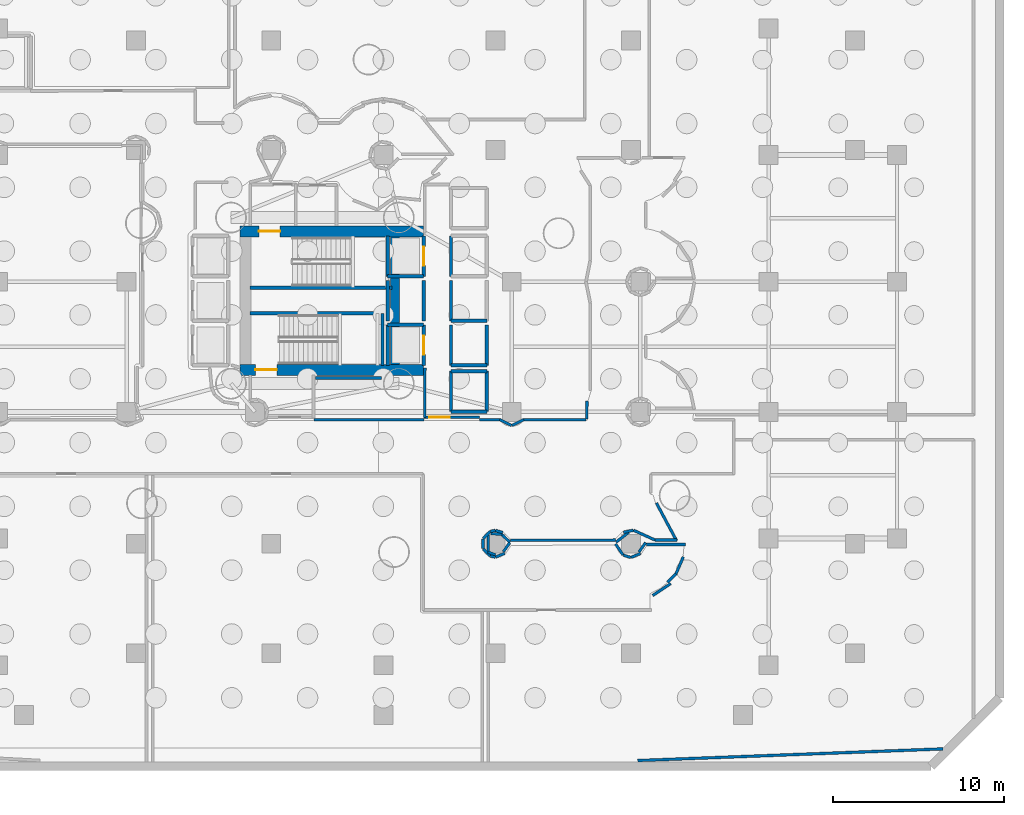
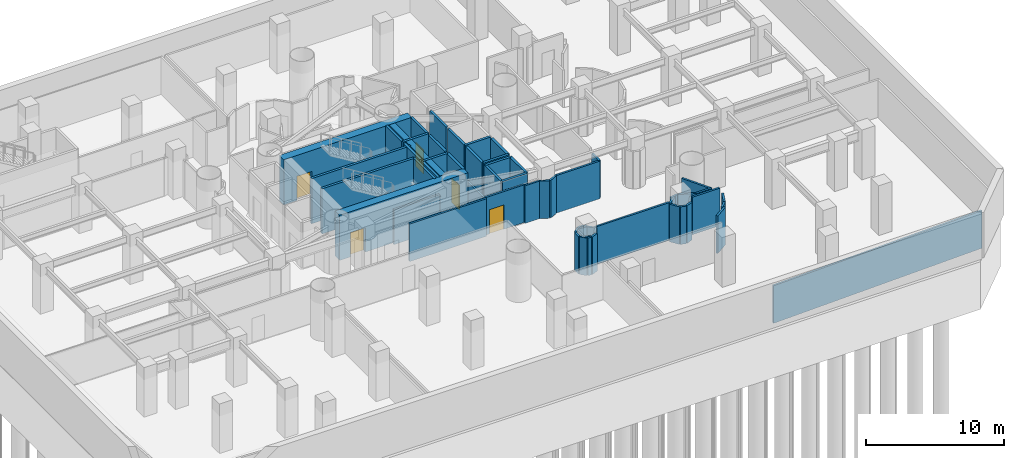
# One storey, part 4 of 13: 60 walls, 5 doors, 5 openings.
"""IFC4 building model written with IfcOpenShell, lengths in metres."""

from ifc_helpers import new_model, si_unit, direction, frame, frame_2d, origin, place, context, subcontext, project, spatial, rectangle, extrude, material, layer, layer_set, type_object, element, fill, save


model = new_model("IFC4")

# Units and contexts
model_context = context("Model", 3, precision=1e-05, world=origin(), true_north=direction((0.0, 1.0)))
body_context = subcontext(model_context, "Body", "Model", "MODEL_VIEW")
ifc_project = project(units=[si_unit("LENGTHUNIT", "METRE"), si_unit("AREAUNIT", "SQUARE_METRE"), si_unit("VOLUMEUNIT", "CUBIC_METRE"), si_unit("PLANEANGLEUNIT", "RADIAN"), si_unit("MASSUNIT", "GRAM", prefix="KILO")], contexts=[model_context])

# Site, building, storey
site_placement = place(None, origin())
site = spatial("IfcSite", under=ifc_project, at=site_placement, CompositionType="ELEMENT")
building_placement = place(site_placement, origin())
building = spatial("IfcBuilding", under=site, at=building_placement, Name="Qianvela Tower", CompositionType="ELEMENT")
storey_placement = place(building_placement, frame((0.0, 0.0, -10.0)))
storey = spatial("IfcBuildingStorey", under=building, at=storey_placement, Name="B02", CompositionType="ELEMENT", Elevation=-10.0)

# Wall, opening, door
ifc_material_1 = material(Name="Concrete C60", Category="concrete")
ifc_layer_1 = layer(ifc_material_1, 0.64990234375)
ifc_layer_set_1 = layer_set([ifc_layer_1], Name="Concrete C60")
wall_type_1 = type_object("IfcWallType", Name="WT-CORE-650", PredefinedType="SHEAR", material=ifc_layer_set_1)
wall_1_placement = place(storey_placement, frame((29.1298828125, 32.7451171875, 0.0), z_axis=(0.0, 0.0, 1.0), x_axis=(1.0, 0.0, 0.0)))
wall_1 = element("IfcWall", 1, at=wall_1_placement, inside=storey, type_object=wall_type_1, Name="B02 North Core Shear Wall", PredefinedType="SHEAR", context=body_context, shape_type="SweptSolid", body=[
    extrude(rectangle(XDim=10.72021484375, YDim=0.64990234375, at=frame_2d((5.360107421875, 0.0))), origin(), (0.0, 0.0, 1.0), 4.0),
])
opening_1_placement = place(wall_1_placement, frame((1.094970703125, 0.0, 0.0)))
opening_1 = element("IfcOpeningElement", 2, at=opening_1_placement, cuts=wall_1, Name="Opening D-ST1", PredefinedType="OPENING", context=body_context, shape_type="SweptSolid", body=[
    extrude(rectangle(XDim=1.25, YDim=2.14990234375, at=frame_2d((0.625, 1.074951171875))), frame((0.0, 0.3349609375, 0.0), z_axis=(0.0, -1.0, 0.0), x_axis=(1.0, 0.0, 0.0)), (0.0, 0.0, 1.0), 0.669921875),
])
ifc_material_2 = material(Name="Galvanised Fire Steel Q355B", Category="steel")
door_type_1 = type_object("IfcDoorType", Name="DT-STAIR-FD90", OperationType="NOTDEFINED", PredefinedType="DOOR", material=ifc_material_2)
door_1_placement = place(opening_1_placement, origin())
door_1 = element("IfcDoor", 3, at=door_1_placement, inside=storey, type_object=door_type_1, Name="B02 Stair ST-1 Exit Door", OperationType="SINGLE_SWING_RIGHT", OverallHeight=2.14990234375, OverallWidth=1.25, PredefinedType="DOOR", context=body_context, shape_type="SweptSolid", body=[
    extrude(rectangle(XDim=1.25, YDim=2.14990234375, at=frame_2d((0.625, 1.074951171875))), frame((0.0, 0.02490234375, 0.0), z_axis=(0.0, -1.0, 0.0), x_axis=(1.0, 0.0, 0.0)), (0.0, 0.0, 1.0), 0.050048828125),
])
fill(opening_1, door_1)

wall_2_placement = place(storey_placement, frame((29.1298828125, 24.655029296875, 0.0), z_axis=(0.0, 0.0, 1.0), x_axis=(1.0, 0.0, 0.0)))
wall_2 = element("IfcWall", 4, at=wall_2_placement, inside=storey, type_object=wall_type_1, Name="B02 South Core Shear Wall", PredefinedType="SHEAR", context=body_context, shape_type="SweptSolid", body=[
    extrude(rectangle(XDim=10.72021484375, YDim=0.64990234375, at=frame_2d((5.360107421875, 0.0))), origin(), (0.0, 0.0, 1.0), 4.0),
])
opening_2_placement = place(wall_2_placement, frame((0.89501953125, 0.0, 0.0)))
opening_2 = element("IfcOpeningElement", 5, at=opening_2_placement, cuts=wall_2, Name="Opening D-ST1", PredefinedType="OPENING", context=body_context, shape_type="SweptSolid", body=[
    extrude(rectangle(XDim=1.25, YDim=2.14990234375, at=frame_2d((0.625, 1.074951171875))), frame((0.0, 0.3349609375, 0.0), z_axis=(0.0, -1.0, 0.0), x_axis=(1.0, 0.0, 0.0)), (0.0, 0.0, 1.0), 0.669921875),
])
door_2_placement = place(opening_2_placement, origin())
door_2 = element("IfcDoor", 6, at=door_2_placement, inside=storey, type_object=door_type_1, Name="B02 Stair ST-2 Exit Door", OperationType="SINGLE_SWING_RIGHT", OverallHeight=2.14990234375, OverallWidth=1.25, PredefinedType="DOOR", context=body_context, shape_type="SweptSolid", body=[
    extrude(rectangle(XDim=1.25, YDim=2.14990234375, at=frame_2d((0.625, 1.074951171875))), frame((0.0, 0.02490234375, 0.0), z_axis=(0.0, -1.0, 0.0), x_axis=(1.0, 0.0, 0.0)), (0.0, 0.0, 1.0), 0.050048828125),
])
fill(opening_2, door_2)

# Wall
wall_3_placement = place(storey_placement, frame((38.179931640625, 24.97998046875, 0.0), z_axis=(0.0, 0.0, 1.0), x_axis=(0.0, 1.0, 0.0)))
element("IfcWall", 7, at=wall_3_placement, inside=storey, type_object=wall_type_1, Name="B02 East Spine Core Shear Wall", PredefinedType="SHEAR", context=body_context, shape_type="SweptSolid", body=[
    extrude(rectangle(XDim=7.43994140625, YDim=0.5, at=frame_2d((3.719970703125, 0.0))), origin(), (0.0, 0.0, 1.0), 4.0),
])

# Wall, opening, door
ifc_material_3 = material(Name="Fire-Rated Gypsum and Concrete Block", Category="concrete")
ifc_layer_2 = layer(ifc_material_3, 0.159912109375)
ifc_layer_set_2 = layer_set([ifc_layer_2], Name="Fire-Rated Gypsum and Concrete Block")
wall_type_2 = type_object("IfcWallType", Name="WT-CORR-160", PredefinedType="PARTITIONING", material=ifc_layer_set_2)
wall_4_placement = place(storey_placement, frame((43.10009765625, 21.89111328125, 0.0), z_axis=(0.0, 0.0, 1.0), x_axis=(-1.0, 0.0, 0.0)))
wall_4 = element("IfcWall", 8, at=wall_4_placement, inside=storey, type_object=wall_type_2, Name="B02 Partition 18", PredefinedType="PARTITIONING", context=body_context, shape_type="SweptSolid", body=[
    extrude(rectangle(XDim=3.22021484375, YDim=0.159912109375, at=frame_2d((1.610107421875, 0.0))), origin(), (0.0, 0.0, 1.0), 3.320068359375),
])
opening_3_placement = place(wall_4_placement, frame((1.7099609375, 0.0, 0.0)))
opening_3 = element("IfcOpeningElement", 9, at=opening_3_placement, cuts=wall_4, Name="Opening D-LB1", PredefinedType="OPENING", context=body_context, shape_type="SweptSolid", body=[
    extrude(rectangle(XDim=1.199951171875, YDim=2.14990234375, at=frame_2d((0.60009765625, 1.074951171875))), frame((0.0, 0.08984375, 0.0), z_axis=(0.0, -1.0, 0.0), x_axis=(1.0, 0.0, 0.0)), (0.0, 0.0, 1.0), 0.179931640625),
])
ifc_material_4 = material(Name="Glazed Fire-Rated Steel Frame", Category="steel")
door_type_2 = type_object("IfcDoorType", Name="DT-LOBBY-FD90", OperationType="NOTDEFINED", PredefinedType="DOOR", material=ifc_material_4)
door_3_placement = place(opening_3_placement, origin())
door_3 = element("IfcDoor", 10, at=door_3_placement, inside=storey, type_object=door_type_2, Name="B02 Door B02 Lift Lobby to B02 Plant and Bicycle Corridor", OperationType="SINGLE_SWING_LEFT", OverallHeight=2.14990234375, OverallWidth=1.199951171875, PredefinedType="DOOR", context=body_context, shape_type="SweptSolid", body=[
    extrude(rectangle(XDim=1.199951171875, YDim=2.14990234375, at=frame_2d((0.60009765625, 1.074951171875))), frame((0.0, 0.02490234375, 0.0), z_axis=(0.0, -1.0, 0.0), x_axis=(1.0, 0.0, 0.0)), (0.0, 0.0, 1.0), 0.050048828125),
])
fill(opening_3, door_3)

# Walls
wall_5_placement = place(storey_placement, frame((39.910888671875, 21.85986328125, 0.0), z_axis=(0.0, 0.0, 1.0), x_axis=(0.00479752075, 0.999988491831, 0.0)))
element("IfcWall", 11, at=wall_5_placement, inside=storey, type_object=wall_type_2, Name="B02 Partition 19", PredefinedType="PARTITIONING", context=body_context, shape_type="SweptSolid", body=[
    extrude(rectangle(XDim=2.900634765625, YDim=0.159912109375, at=frame_2d((1.4501953125, 0.0))), origin(), (0.0, 0.0, 1.0), 3.177978515625),
])
wall_6_placement = place(storey_placement, frame((37.388671875, 24.180908203125, 0.0), z_axis=(0.0, 0.0, 1.0), x_axis=(-1.0, 0.0, 0.0)))
element("IfcWall", 12, at=wall_6_placement, inside=storey, type_object=wall_type_2, Name="B02 Partition 35", PredefinedType="PARTITIONING", context=body_context, shape_type="SweptSolid", body=[
    extrude(rectangle(XDim=3.858642578125, YDim=0.159912109375, at=frame_2d((1.92919921875, 0.0))), origin(), (0.0, 0.0, 1.0), 3.077880859375),
])
wall_7_placement = place(storey_placement, frame((33.449951171875, 21.7490234375, 0.0), z_axis=(0.0, 0.0, 1.0), x_axis=(1.0, 0.0, 0.0)))
element("IfcWall", 13, at=wall_7_placement, inside=storey, type_object=wall_type_2, Name="B02 Partition 88 seg 1", PredefinedType="PARTITIONING", context=body_context, shape_type="SweptSolid", body=[
    extrude(rectangle(XDim=6.429931640625, YDim=0.159912109375, at=frame_2d((3.21484375, 0.0))), origin(), (0.0, 0.0, 1.0), 3.320068359375),
])
wall_8_placement = place(storey_placement, frame((43.10009765625, 21.7490234375, 0.0), z_axis=(0.0, 0.0, 1.0), x_axis=(1.0, 0.0, 0.0)))
element("IfcWall", 14, at=wall_8_placement, inside=storey, type_object=wall_type_2, Name="B02 Partition 88 seg 2", PredefinedType="PARTITIONING", context=body_context, shape_type="SweptSolid", body=[
    extrude(rectangle(XDim=1.203857421875, YDim=0.159912109375, at=frame_2d((0.60205078125, 0.0))), origin(), (0.0, 0.0, 1.0), 3.320068359375),
])
wall_9_placement = place(storey_placement, frame((44.289794921875, 21.752197265625, 0.0), z_axis=(0.0, 0.0, 1.0), x_axis=(0.893548213857, -0.448967247706, 0.0)))
element("IfcWall", 15, at=wall_9_placement, inside=storey, type_object=wall_type_2, Name="B02 Partition 89", PredefinedType="PARTITIONING", context=body_context, shape_type="SweptSolid", body=[
    extrude(rectangle(XDim=0.779296875, YDim=0.159912109375, at=frame_2d((0.3896484375, 0.0))), origin(), (0.0, 0.0, 1.0), 3.320068359375),
])
wall_10_placement = place(storey_placement, frame((45.013916015625, 21.40234375, 0.0), z_axis=(0.0, 0.0, 1.0), x_axis=(0.894999155255, 0.446067833511, 0.0)))
element("IfcWall", 16, at=wall_10_placement, inside=storey, type_object=wall_type_2, Name="B02 Partition 90", PredefinedType="PARTITIONING", context=body_context, shape_type="SweptSolid", body=[
    extrude(rectangle(XDim=0.767333984375, YDim=0.159912109375, at=frame_2d((0.3837890625, 0.0))), origin(), (0.0, 0.0, 1.0), 3.320068359375),
])
wall_11_placement = place(storey_placement, frame((45.686767578125, 21.7412109375, 0.0), z_axis=(0.0, 0.0, 1.0), x_axis=(0.999997715017, 0.002137746468, 0.0)))
element("IfcWall", 17, at=wall_11_placement, inside=storey, type_object=wall_type_2, Name="B02 Partition 91", PredefinedType="PARTITIONING", context=body_context, shape_type="SweptSolid", body=[
    extrude(rectangle(XDim=3.654541015625, YDim=0.159912109375, at=frame_2d((1.8271484375, 0.0))), origin(), (0.0, 0.0, 1.0), 3.320068359375),
])
wall_12_placement = place(storey_placement, frame((49.372314453125, 21.779296875, 0.0), z_axis=(0.0, 0.0, 1.0), x_axis=(0.019397938969, 0.99981184228, 0.0)))
element("IfcWall", 18, at=wall_12_placement, inside=storey, type_object=wall_type_2, Name="B02 Partition 92", PredefinedType="PARTITIONING", context=body_context, shape_type="SweptSolid", body=[
    extrude(rectangle(XDim=1.044677734375, YDim=0.159912109375, at=frame_2d((0.5224609375, 0.0))), origin(), (0.0, 0.0, 1.0), 3.320068359375),
])
wall_13_placement = place(storey_placement, frame((53.449951171875, 16.873779296875, 0.0), z_axis=(0.0, 0.0, 1.0), x_axis=(0.471411414428, -0.881913418849, 0.0)))
element("IfcWall", 19, at=wall_13_placement, inside=storey, type_object=wall_type_2, Name="B02 Partition 140", PredefinedType="PARTITIONING", context=body_context, shape_type="SweptSolid", body=[
    extrude(rectangle(XDim=2.4931640625, YDim=0.159912109375, at=frame_2d((1.24658203125, 0.0))), origin(), (0.0, 0.0, 1.0), 3.320068359375),
])
wall_14_placement = place(storey_placement, frame((54.65234375, 14.720703125, 0.0), z_axis=(0.0, 0.0, 1.0), x_axis=(-0.999996515178, -0.002640005886, 0.0)))
element("IfcWall", 20, at=wall_14_placement, inside=storey, type_object=wall_type_2, Name="B02 Partition 141", PredefinedType="PARTITIONING", context=body_context, shape_type="SweptSolid", body=[
    extrude(rectangle(XDim=1.294677734375, YDim=0.159912109375, at=frame_2d((0.6474609375, 0.0))), origin(), (0.0, 0.0, 1.0), 3.320068359375),
])
wall_15_placement = place(storey_placement, frame((53.37060546875, 14.714599609375, 0.0), z_axis=(0.0, 0.0, 1.0), x_axis=(-0.910457642889, 0.413602321687, 0.0)))
element("IfcWall", 21, at=wall_15_placement, inside=storey, type_object=wall_type_2, Name="B02 Partition 142", PredefinedType="PARTITIONING", context=body_context, shape_type="SweptSolid", body=[
    extrude(rectangle(XDim=1.375244140625, YDim=0.159912109375, at=frame_2d((0.6875, 0.0))), origin(), (0.0, 0.0, 1.0), 3.320068359375),
])
wall_16_placement = place(storey_placement, frame((52.099609375, 15.28564453125, 0.0), z_axis=(0.0, 0.0, 1.0), x_axis=(-0.980787220882, -0.195080566316, 0.0)))
element("IfcWall", 22, at=wall_16_placement, inside=storey, type_object=wall_type_2, Name="B02 Partition 143", PredefinedType="PARTITIONING", context=body_context, shape_type="SweptSolid", body=[
    extrude(rectangle(XDim=0.58935546875, YDim=0.159912109375, at=frame_2d((0.294677734375, 0.0))), origin(), (0.0, 0.0, 1.0), 3.320068359375),
])
wall_17_placement = place(storey_placement, frame((51.068115234375, 14.711669921875, 0.0), z_axis=(0.0, 0.0, 1.0), x_axis=(-0.999996871291, -0.002501481155, 0.0)))
element("IfcWall", 23, at=wall_17_placement, inside=storey, type_object=wall_type_2, Name="B02 Partition 144", PredefinedType="PARTITIONING", context=body_context, shape_type="SweptSolid", body=[
    extrude(rectangle(XDim=6.148681640625, YDim=0.159912109375, at=frame_2d((3.07421875, 0.0))), origin(), (0.0, 0.0, 1.0), 3.320068359375),
])
wall_18_placement = place(storey_placement, frame((44.47021484375, 15.1533203125, 0.0), z_axis=(0.0, 0.0, 1.0), x_axis=(-0.956863871436, 0.290536626849, 0.0)))
element("IfcWall", 24, at=wall_18_placement, inside=storey, type_object=wall_type_2, Name="B02 Partition 145", PredefinedType="PARTITIONING", context=body_context, shape_type="SweptSolid", body=[
    extrude(rectangle(XDim=0.435302734375, YDim=0.159912109375, at=frame_2d((0.2177734375, 0.0))), origin(), (0.0, 0.0, 1.0), 3.320068359375),
])
wall_19_placement = place(storey_placement, frame((44.03857421875, 15.280517578125, 0.0), z_axis=(0.0, 0.0, 1.0), x_axis=(-0.980772662828, -0.195153744134, 0.0)))
element("IfcWall", 25, at=wall_19_placement, inside=storey, type_object=wall_type_2, Name="B02 Partition 146", PredefinedType="PARTITIONING", context=body_context, shape_type="SweptSolid", body=[
    extrude(rectangle(XDim=0.292724609375, YDim=0.159912109375, at=frame_2d((0.146484375, 0.0))), origin(), (0.0, 0.0, 1.0), 3.320068359375),
])
wall_20_placement = place(storey_placement, frame((43.735595703125, 15.21484375, 0.0), z_axis=(0.0, 0.0, 1.0), x_axis=(-0.706894085523, -0.707319412891, 0.0)))
element("IfcWall", 26, at=wall_20_placement, inside=storey, type_object=wall_type_2, Name="B02 Partition 147", PredefinedType="PARTITIONING", context=body_context, shape_type="SweptSolid", body=[
    extrude(rectangle(XDim=0.573974609375, YDim=0.159912109375, at=frame_2d((0.287109375, 0.0))), origin(), (0.0, 0.0, 1.0), 3.320068359375),
])
wall_21_placement = place(storey_placement, frame((43.32080078125, 14.787109375, 0.0), z_axis=(0.0, 0.0, 1.0), x_axis=(0.0, -1.0, 0.0)))
element("IfcWall", 27, at=wall_21_placement, inside=storey, type_object=wall_type_2, Name="B02 Partition 148", PredefinedType="PARTITIONING", context=body_context, shape_type="SweptSolid", body=[
    extrude(rectangle(XDim=0.57421875, YDim=0.159912109375, at=frame_2d((0.287109375, 0.0))), origin(), (0.0, 0.0, 1.0), 3.320068359375),
])
wall_22_placement = place(storey_placement, frame((43.329833984375, 14.191162109375, 0.0), z_axis=(0.0, 0.0, 1.0), x_axis=(0.706894085523, -0.707319412891, 0.0)))
element("IfcWall", 28, at=wall_22_placement, inside=storey, type_object=wall_type_2, Name="B02 Partition 149", PredefinedType="PARTITIONING", context=body_context, shape_type="SweptSolid", body=[
    extrude(rectangle(XDim=0.573974609375, YDim=0.159912109375, at=frame_2d((0.287109375, 0.0))), origin(), (0.0, 0.0, 1.0), 3.320068359375),
])
wall_23_placement = place(storey_placement, frame((43.75146484375, 13.776611328125, 0.0), z_axis=(0.0, 0.0, 1.0), x_axis=(0.980772662828, -0.195153744134, 0.0)))
element("IfcWall", 29, at=wall_23_placement, inside=storey, type_object=wall_type_2, Name="B02 Partition 150", PredefinedType="PARTITIONING", context=body_context, shape_type="SweptSolid", body=[
    extrude(rectangle(XDim=0.292724609375, YDim=0.159912109375, at=frame_2d((0.146484375, 0.0))), origin(), (0.0, 0.0, 1.0), 3.320068359375),
])
wall_24_placement = place(storey_placement, frame((44.056396484375, 13.721435546875, 0.0), z_axis=(0.0, 0.0, 1.0), x_axis=(0.924042733139, 0.382289193324, 0.0)))
element("IfcWall", 30, at=wall_24_placement, inside=storey, type_object=wall_type_2, Name="B02 Partition 151", PredefinedType="PARTITIONING", context=body_context, shape_type="SweptSolid", body=[
    extrude(rectangle(XDim=0.57421875, YDim=0.159912109375, at=frame_2d((0.287109375, 0.0))), origin(), (0.0, 0.0, 1.0), 3.320068359375),
])
wall_25_placement = place(storey_placement, frame((51.060546875, 14.483154296875, 0.0), z_axis=(0.0, 0.0, 1.0), x_axis=(0.567447045637, -0.823409892094, 0.0)))
element("IfcWall", 31, at=wall_25_placement, inside=storey, type_object=wall_type_2, Name="B02 Partition 153", PredefinedType="PARTITIONING", context=body_context, shape_type="SweptSolid", body=[
    extrude(rectangle(XDim=0.7783203125, YDim=0.159912109375, at=frame_2d((0.38916015625, 0.0))), origin(), (0.0, 0.0, 1.0), 3.320068359375),
])
wall_26_placement = place(storey_placement, frame((51.5185546875, 13.830078125, 0.0), z_axis=(0.0, 0.0, 1.0), x_axis=(0.956858887343, -0.290553041134, 0.0)))
element("IfcWall", 32, at=wall_26_placement, inside=storey, type_object=wall_type_2, Name="B02 Partition 154", PredefinedType="PARTITIONING", context=body_context, shape_type="SweptSolid", body=[
    extrude(rectangle(XDim=0.447021484375, YDim=0.159912109375, at=frame_2d((0.2236328125, 0.0))), origin(), (0.0, 0.0, 1.0), 3.320068359375),
])
wall_27_placement = place(storey_placement, frame((51.96728515625, 13.701416015625, 0.0), z_axis=(0.0, 0.0, 1.0), x_axis=(0.923835035561, 0.382790839847, 0.0)))
element("IfcWall", 33, at=wall_27_placement, inside=storey, type_object=wall_type_2, Name="B02 Partition 155", PredefinedType="PARTITIONING", context=body_context, shape_type="SweptSolid", body=[
    extrude(rectangle(XDim=0.58935546875, YDim=0.159912109375, at=frame_2d((0.294677734375, 0.0))), origin(), (0.0, 0.0, 1.0), 3.320068359375),
])
wall_28_placement = place(storey_placement, frame((52.855224609375, 14.456298828125, 0.0), z_axis=(0.0, 0.0, 1.0), x_axis=(0.999996753759, 0.002548032922, 0.0)))
element("IfcWall", 34, at=wall_28_placement, inside=storey, type_object=wall_type_2, Name="B02 Partition 156 seg 1", PredefinedType="PARTITIONING", context=body_context, shape_type="SweptSolid", body=[
    extrude(rectangle(XDim=2.299560546875, YDim=0.159912109375, at=frame_2d((1.14990234375, 0.0))), origin(), (0.0, 0.0, 1.0), 3.320068359375),
])
wall_29_placement = place(storey_placement, frame((55.017333984375, 13.729248046875, 0.0), z_axis=(0.0, 0.0, 1.0), x_axis=(-0.39658276585, -0.917998970496, 0.0)))
element("IfcWall", 35, at=wall_29_placement, inside=storey, type_object=wall_type_2, Name="B02 Partition 158", PredefinedType="PARTITIONING", context=body_context, shape_type="SweptSolid", body=[
    extrude(rectangle(XDim=1.08349609375, YDim=0.159912109375, at=frame_2d((0.541748046875, 0.0))), origin(), (0.0, 0.0, 1.0), 3.320068359375),
])
wall_30_placement = place(storey_placement, frame((54.59423828125, 12.744140625, 0.0), z_axis=(0.0, 0.0, 1.0), x_axis=(-0.707106781187, -0.707106781187, 0.0)))
element("IfcWall", 36, at=wall_30_placement, inside=storey, type_object=wall_type_2, Name="B02 Partition 159", PredefinedType="PARTITIONING", context=body_context, shape_type="SweptSolid", body=[
    extrude(rectangle(XDim=0.705078125, YDim=0.159912109375, at=frame_2d((0.3525390625, 0.0))), origin(), (0.0, 0.0, 1.0), 3.320068359375),
])
wall_31_placement = place(storey_placement, frame((70.18017578125, 2.516845703125, 0.0), z_axis=(0.0, 0.0, 1.0), x_axis=(-0.999268938331, -0.038230732227, 0.0)))
element("IfcWall", 37, at=wall_31_placement, inside=storey, type_object=wall_type_2, Name="B02 Partition 234 seg 1", PredefinedType="PARTITIONING", context=body_context, shape_type="SweptSolid", body=[
    extrude(rectangle(XDim=17.8359375, YDim=0.159912109375, at=frame_2d((8.91796875, 0.0))), origin(), (0.0, 0.0, 1.0), 3.320068359375),
])
wall_32_placement = place(storey_placement, frame((53.229248046875, 11.47119140625, 0.0), z_axis=(0.0, 0.0, 1.0), x_axis=(0.832672927518, 0.55376510885, 0.0)))
element("IfcWall", 38, at=wall_32_placement, inside=storey, type_object=wall_type_2, Name="B02 Partition 237", PredefinedType="PARTITIONING", context=body_context, shape_type="SweptSolid", body=[
    extrude(rectangle(XDim=1.265869140625, YDim=0.159912109375, at=frame_2d((0.6328125, 0.0))), origin(), (0.0, 0.0, 1.0), 3.320068359375),
])
wall_33_placement = place(storey_placement, frame((52.817626953125, 14.566162109375, 0.0), z_axis=(0.0, 0.0, 1.0), x_axis=(-0.57748245619, -0.816403094551, 0.0)))
element("IfcWall", 39, at=wall_33_placement, inside=storey, type_object=wall_type_2, Name="B02 Partition 240", PredefinedType="PARTITIONING", context=body_context, shape_type="SweptSolid", body=[
    extrude(rectangle(XDim=0.67138671875, YDim=0.159912109375, at=frame_2d((0.335693359375, 0.0))), origin(), (0.0, 0.0, 1.0), 3.320068359375),
])
wall_34_placement = place(storey_placement, frame((44.88818359375, 14.565185546875, 0.0), z_axis=(0.0, 0.0, 1.0), x_axis=(-0.583804708671, -0.811894120026, 0.0)))
element("IfcWall", 40, at=wall_34_placement, inside=storey, type_object=wall_type_2, Name="B02 Partition 245", PredefinedType="PARTITIONING", context=body_context, shape_type="SweptSolid", body=[
    extrude(rectangle(XDim=0.65625, YDim=0.159912109375, at=frame_2d((0.328125, 0.0))), origin(), (0.0, 0.0, 1.0), 3.320068359375),
])
wall_35_placement = place(storey_placement, frame((44.055908203125, 13.842041015625, 0.0), z_axis=(0.0, 0.0, 1.0), x_axis=(-0.931340842737, 0.364148643618, 0.0)))
element("IfcWall", 41, at=wall_35_placement, inside=storey, type_object=wall_type_2, Name="B02 Partition 247", PredefinedType="PARTITIONING", context=body_context, shape_type="SweptSolid", body=[
    extrude(rectangle(XDim=0.477294921875, YDim=0.159912109375, at=frame_2d((0.23876953125, 0.0))), origin(), (0.0, 0.0, 1.0), 3.320068359375),
])
wall_36_placement = place(storey_placement, frame((43.631103515625, 13.987060546875, 0.0), z_axis=(0.0, 0.0, 1.0), x_axis=(0.0, 1.0, 0.0)))
element("IfcWall", 42, at=wall_36_placement, inside=storey, type_object=wall_type_2, Name="B02 Partition 248", PredefinedType="PARTITIONING", context=body_context, shape_type="SweptSolid", body=[
    extrude(rectangle(XDim=1.02587890625, YDim=0.159912109375, at=frame_2d((0.512939453125, 0.0))), origin(), (0.0, 0.0, 1.0), 3.320068359375),
])
wall_37_placement = place(storey_placement, frame((43.77880859375, 15.103759765625, 0.0), z_axis=(0.0, 0.0, 1.0), x_axis=(0.995181739777, -0.098047462047, 0.0)))
element("IfcWall", 43, at=wall_37_placement, inside=storey, type_object=wall_type_2, Name="B02 Partition 249", PredefinedType="PARTITIONING", context=body_context, shape_type="SweptSolid", body=[
    extrude(rectangle(XDim=0.6474609375, YDim=0.159912109375, at=frame_2d((0.32373046875, 0.0))), origin(), (0.0, 0.0, 1.0), 3.320068359375),
])
wall_38_placement = place(storey_placement, frame((44.40478515625, 15.048583984375, 0.0), z_axis=(0.0, 0.0, 1.0), x_axis=(0.725877213083, -0.687824302803, 0.0)))
element("IfcWall", 44, at=wall_38_placement, inside=storey, type_object=wall_type_2, Name="B02 Partition 250", PredefinedType="PARTITIONING", context=body_context, shape_type="SweptSolid", body=[
    extrude(rectangle(XDim=0.68017578125, YDim=0.159912109375, at=frame_2d((0.340087890625, 0.0))), origin(), (0.0, 0.0, 1.0), 3.320068359375),
])
wall_39_placement = place(storey_placement, frame((51.09326171875, 14.594482421875, 0.0), z_axis=(0.0, 0.0, 1.0), x_axis=(0.791307868948, 0.611417906625, 0.0)))
element("IfcWall", 45, at=wall_39_placement, inside=storey, type_object=wall_type_2, Name="B02 Partition 252", PredefinedType="PARTITIONING", context=body_context, shape_type="SweptSolid", body=[
    extrude(rectangle(XDim=0.939208984375, YDim=0.159912109375, at=frame_2d((0.4697265625, 0.0))), origin(), (0.0, 0.0, 1.0), 3.320068359375),
])
ifc_material_5 = material(Name="Concrete C50", Category="concrete")
ifc_layer_3 = layer(ifc_material_5, 0.199951171875)
ifc_layer_set_3 = layer_set([ifc_layer_3], Name="Concrete C50")
wall_type_3 = type_object("IfcWallType", Name="WT-SHAFT-200", PredefinedType="SOLIDWALL", material=ifc_layer_set_3)
wall_40_placement = place(storey_placement, frame((29.699951171875, 29.449951171875, 0.0), z_axis=(0.0, 0.0, 1.0), x_axis=(1.0, 0.0, 0.0)))
element("IfcWall", 46, at=wall_40_placement, inside=storey, type_object=wall_type_3, Name="B02 Stair ST-1 South Wall", PredefinedType="SOLIDWALL", context=body_context, shape_type="SweptSolid", body=[
    extrude(rectangle(XDim=8.300048828125, YDim=0.199951171875, at=frame_2d((4.14990234375, 0.0))), origin(), (0.0, 0.0, 1.0), 4.0),
])
wall_41_placement = place(storey_placement, frame((29.699951171875, 27.9599609375, 0.0), z_axis=(0.0, 0.0, 1.0), x_axis=(1.0, 0.0, 0.0)))
element("IfcWall", 47, at=wall_41_placement, inside=storey, type_object=wall_type_3, Name="B02 Stair ST-2 North Wall", PredefinedType="SOLIDWALL", context=body_context, shape_type="SweptSolid", body=[
    extrude(rectangle(XDim=7.75, YDim=0.199951171875, at=frame_2d((3.875, 0.0))), origin(), (0.0, 0.0, 1.0), 4.0),
])
wall_42_placement = place(storey_placement, frame((37.449951171875, 24.89990234375, 0.0), z_axis=(0.0, 0.0, 1.0), x_axis=(0.0, 1.0, 0.0)))
element("IfcWall", 48, at=wall_42_placement, inside=storey, type_object=wall_type_3, Name="B02 Stair ST-2 East Wall", PredefinedType="SOLIDWALL", context=body_context, shape_type="SweptSolid", body=[
    extrude(rectangle(XDim=3.06005859375, YDim=0.199951171875, at=frame_2d((1.530029296875, 0.0))), origin(), (0.0, 0.0, 1.0), 4.0),
])

# Wall, opening, door
wall_43_placement = place(storey_placement, frame((39.85009765625, 30.1201171875, 0.0), z_axis=(0.0, 0.0, 1.0), x_axis=(0.0, 1.0, 0.0)))
wall_43 = element("IfcWall", 49, at=wall_43_placement, inside=storey, type_object=wall_type_3, Name="B02 Lift FL-1 E Shaft Wall", PredefinedType="SOLIDWALL", context=body_context, shape_type="SweptSolid", body=[
    extrude(rectangle(XDim=2.35986328125, YDim=0.199951171875, at=frame_2d((1.179931640625, 0.0))), origin(), (0.0, 0.0, 1.0), 4.0),
])
opening_4_placement = place(wall_43_placement, frame((0.6298828125, 0.0, 0.0)))
opening_4 = element("IfcOpeningElement", 50, at=opening_4_placement, cuts=wall_43, Name="Opening LD-01", PredefinedType="OPENING", context=body_context, shape_type="SweptSolid", body=[
    extrude(rectangle(XDim=1.10009765625, YDim=2.14990234375, at=frame_2d((0.550048828125, 1.074951171875))), frame((0.0, 0.10986328125, 0.0), z_axis=(0.0, -1.0, 0.0), x_axis=(1.0, 0.0, 0.0)), (0.0, 0.0, 1.0), 0.219970703125),
])
ifc_material_6 = material(Name="Brushed Stainless Steel Lift Landing Door", Category="steel")
door_type_3 = type_object("IfcDoorType", Name="DT-LIFT-SLIDE-1100", OperationType="SLIDING_TO_LEFT", PredefinedType="DOOR", material=ifc_material_6)
door_4_placement = place(opening_4_placement, origin())
door_4 = element("IfcDoor", 51, at=door_4_placement, inside=storey, type_object=door_type_3, Name="B02 Lift FL-1 Sliding Landing Door", OperationType="SLIDING_TO_LEFT", OverallHeight=2.14990234375, OverallWidth=1.10009765625, PredefinedType="DOOR", context=body_context, shape_type="SweptSolid", body=[
    extrude(rectangle(XDim=1.10009765625, YDim=2.14990234375, at=frame_2d((0.550048828125, 1.074951171875))), frame((0.0, 0.02490234375, 0.0), z_axis=(0.0, -1.0, 0.0), x_axis=(1.0, 0.0, 0.0)), (0.0, 0.0, 1.0), 0.050048828125),
])
fill(opening_4, door_4)

# Walls
wall_44_placement = place(storey_placement, frame((37.75, 30.1201171875, 0.0), z_axis=(0.0, 0.0, 1.0), x_axis=(0.0, 1.0, 0.0)))
element("IfcWall", 52, at=wall_44_placement, inside=storey, type_object=wall_type_3, Name="B02 Lift FL-1 W Shaft Wall", PredefinedType="SOLIDWALL", context=body_context, shape_type="SweptSolid", body=[
    extrude(rectangle(XDim=2.35986328125, YDim=0.199951171875, at=frame_2d((1.179931640625, 0.0))), origin(), (0.0, 0.0, 1.0), 4.0),
])
wall_45_placement = place(storey_placement, frame((37.75, 30.1201171875, 0.0), z_axis=(0.0, 0.0, 1.0), x_axis=(1.0, 0.0, 0.0)))
element("IfcWall", 53, at=wall_45_placement, inside=storey, type_object=wall_type_3, Name="B02 Lift FL-1 S Shaft Wall", PredefinedType="SOLIDWALL", context=body_context, shape_type="SweptSolid", body=[
    extrude(rectangle(XDim=2.10009765625, YDim=0.199951171875, at=frame_2d((1.050048828125, 0.0))), origin(), (0.0, 0.0, 1.0), 4.0),
])

# Wall, opening, door
wall_46_placement = place(storey_placement, frame((39.85009765625, 24.919921875, 0.0), z_axis=(0.0, 0.0, 1.0), x_axis=(0.0, 1.0, 0.0)))
wall_46 = element("IfcWall", 54, at=wall_46_placement, inside=storey, type_object=wall_type_3, Name="B02 Lift FL-2 E Shaft Wall", PredefinedType="SOLIDWALL", context=body_context, shape_type="SweptSolid", body=[
    extrude(rectangle(XDim=2.360107421875, YDim=0.199951171875, at=frame_2d((1.18017578125, 0.0))), origin(), (0.0, 0.0, 1.0), 4.0),
])
opening_5_placement = place(wall_46_placement, frame((0.6298828125, 0.0, 0.0)))
opening_5 = element("IfcOpeningElement", 55, at=opening_5_placement, cuts=wall_46, Name="Opening LD-01", PredefinedType="OPENING", context=body_context, shape_type="SweptSolid", body=[
    extrude(rectangle(XDim=1.10009765625, YDim=2.14990234375, at=frame_2d((0.550048828125, 1.074951171875))), frame((0.0, 0.10986328125, 0.0), z_axis=(0.0, -1.0, 0.0), x_axis=(1.0, 0.0, 0.0)), (0.0, 0.0, 1.0), 0.219970703125),
])
door_5_placement = place(opening_5_placement, origin())
door_5 = element("IfcDoor", 56, at=door_5_placement, inside=storey, type_object=door_type_3, Name="B02 Lift FL-2 Sliding Landing Door", OperationType="SLIDING_TO_LEFT", OverallHeight=2.14990234375, OverallWidth=1.10009765625, PredefinedType="DOOR", context=body_context, shape_type="SweptSolid", body=[
    extrude(rectangle(XDim=1.10009765625, YDim=2.14990234375, at=frame_2d((0.550048828125, 1.074951171875))), frame((0.0, 0.02490234375, 0.0), z_axis=(0.0, -1.0, 0.0), x_axis=(1.0, 0.0, 0.0)), (0.0, 0.0, 1.0), 0.050048828125),
])
fill(opening_5, door_5)

# Walls
wall_47_placement = place(storey_placement, frame((37.75, 24.919921875, 0.0), z_axis=(0.0, 0.0, 1.0), x_axis=(0.0, 1.0, 0.0)))
element("IfcWall", 57, at=wall_47_placement, inside=storey, type_object=wall_type_3, Name="B02 Lift FL-2 W Shaft Wall", PredefinedType="SOLIDWALL", context=body_context, shape_type="SweptSolid", body=[
    extrude(rectangle(XDim=2.360107421875, YDim=0.199951171875, at=frame_2d((1.18017578125, 0.0))), origin(), (0.0, 0.0, 1.0), 4.0),
])
wall_48_placement = place(storey_placement, frame((37.75, 27.280029296875, 0.0), z_axis=(0.0, 0.0, 1.0), x_axis=(1.0, 0.0, 0.0)))
element("IfcWall", 58, at=wall_48_placement, inside=storey, type_object=wall_type_3, Name="B02 Lift FL-2 N Shaft Wall", PredefinedType="SOLIDWALL", context=body_context, shape_type="SweptSolid", body=[
    extrude(rectangle(XDim=2.10009765625, YDim=0.199951171875, at=frame_2d((1.050048828125, 0.0))), origin(), (0.0, 0.0, 1.0), 4.0),
])
for number, where, z_axis, x_axis, name in (
    (59, (41.449951171875, 30.1201171875, 0.0), (0.0, 0.0, 1.0), (0.0, 1.0, 0.0), "B02 Lift PL-M1 W Shaft Wall"),
    (60, (41.449951171875, 27.52001953125, 0.0), (0.0, 0.0, 1.0), (0.0, 1.0, 0.0), "B02 Lift PL-M2 W Shaft Wall"),
):
    element("IfcWall", number, at=place(storey_placement, frame(where, z_axis=z_axis, x_axis=x_axis)), inside=storey, type_object=wall_type_3, Name=name, PredefinedType="SOLIDWALL", context=body_context, shape_type="SweptSolid", body=[
        extrude(rectangle(XDim=2.35986328125, YDim=0.199951171875, at=frame_2d((1.179931640625, 0.0))), origin(), (0.0, 0.0, 1.0), 4.0),
    ])
wall_49_placement = place(storey_placement, frame((41.449951171875, 27.52001953125, 0.0), z_axis=(0.0, 0.0, 1.0), x_axis=(1.0, 0.0, 0.0)))
element("IfcWall", 61, at=wall_49_placement, inside=storey, type_object=wall_type_3, Name="B02 Lift PL-M2 S Shaft Wall", PredefinedType="SOLIDWALL", context=body_context, shape_type="SweptSolid", body=[
    extrude(rectangle(XDim=2.10009765625, YDim=0.199951171875, at=frame_2d((1.050048828125, 0.0))), origin(), (0.0, 0.0, 1.0), 4.0),
])
for number, where, z_axis, x_axis, name in (
    (62, (43.550048828125, 24.919921875, 0.0), (0.0, 0.0, 1.0), (0.0, 1.0, 0.0), "B02 Lift PL-M3 E Shaft Wall"),
    (63, (41.449951171875, 24.919921875, 0.0), (0.0, 0.0, 1.0), (0.0, 1.0, 0.0), "B02 Lift PL-M3 W Shaft Wall"),
):
    element("IfcWall", number, at=place(storey_placement, frame(where, z_axis=z_axis, x_axis=x_axis)), inside=storey, type_object=wall_type_3, Name=name, PredefinedType="SOLIDWALL", context=body_context, shape_type="SweptSolid", body=[
        extrude(rectangle(XDim=2.360107421875, YDim=0.199951171875, at=frame_2d((1.18017578125, 0.0))), origin(), (0.0, 0.0, 1.0), 4.0),
    ])
wall_50_placement = place(storey_placement, frame((41.449951171875, 24.919921875, 0.0), z_axis=(0.0, 0.0, 1.0), x_axis=(1.0, 0.0, 0.0)))
element("IfcWall", 64, at=wall_50_placement, inside=storey, type_object=wall_type_3, Name="B02 Lift PL-M3 S Shaft Wall", PredefinedType="SOLIDWALL", context=body_context, shape_type="SweptSolid", body=[
    extrude(rectangle(XDim=2.10009765625, YDim=0.199951171875, at=frame_2d((1.050048828125, 0.0))), origin(), (0.0, 0.0, 1.0), 4.0),
])
for number, where, z_axis, x_axis, name in (
    (65, (39.85009765625, 27.52001953125, 0.0), (0.0, 0.0, 1.0), (0.0, 1.0, 0.0), "B02 Lift PL-H1 E Shaft Wall"),
    (66, (37.75, 27.52001953125, 0.0), (0.0, 0.0, 1.0), (0.0, 1.0, 0.0), "B02 Lift PL-H1 W Shaft Wall"),
):
    element("IfcWall", number, at=place(storey_placement, frame(where, z_axis=z_axis, x_axis=x_axis)), inside=storey, type_object=wall_type_3, Name=name, PredefinedType="SOLIDWALL", context=body_context, shape_type="SweptSolid", body=[
        extrude(rectangle(XDim=2.35986328125, YDim=0.199951171875, at=frame_2d((1.179931640625, 0.0))), origin(), (0.0, 0.0, 1.0), 4.0),
    ])
for number, where, z_axis, x_axis, name in (
    (67, (43.550048828125, 22.219970703125, 0.0), (0.0, 0.0, 1.0), (0.0, 1.0, 0.0), "B02 Lift PL-H2 E Shaft Wall"),
    (68, (41.449951171875, 22.219970703125, 0.0), (0.0, 0.0, 1.0), (0.0, 1.0, 0.0), "B02 Lift PL-H2 W Shaft Wall"),
):
    element("IfcWall", number, at=place(storey_placement, frame(where, z_axis=z_axis, x_axis=x_axis)), inside=storey, type_object=wall_type_3, Name=name, PredefinedType="SOLIDWALL", context=body_context, shape_type="SweptSolid", body=[
        extrude(rectangle(XDim=2.360107421875, YDim=0.199951171875, at=frame_2d((1.18017578125, 0.0))), origin(), (0.0, 0.0, 1.0), 4.0),
    ])
for number, where, z_axis, x_axis, name in (
    (69, (41.449951171875, 24.580078125, 0.0), (0.0, 0.0, 1.0), (1.0, 0.0, 0.0), "B02 Lift PL-H2 N Shaft Wall"),
    (70, (41.449951171875, 22.219970703125, 0.0), (0.0, 0.0, 1.0), (1.0, 0.0, 0.0), "B02 Lift PL-H2 S Shaft Wall"),
):
    element("IfcWall", number, at=place(storey_placement, frame(where, z_axis=z_axis, x_axis=x_axis)), inside=storey, type_object=wall_type_3, Name=name, PredefinedType="SOLIDWALL", context=body_context, shape_type="SweptSolid", body=[
        extrude(rectangle(XDim=2.10009765625, YDim=0.199951171875, at=frame_2d((1.050048828125, 0.0))), origin(), (0.0, 0.0, 1.0), 4.0),
    ])

save(model, "model.ifc")
